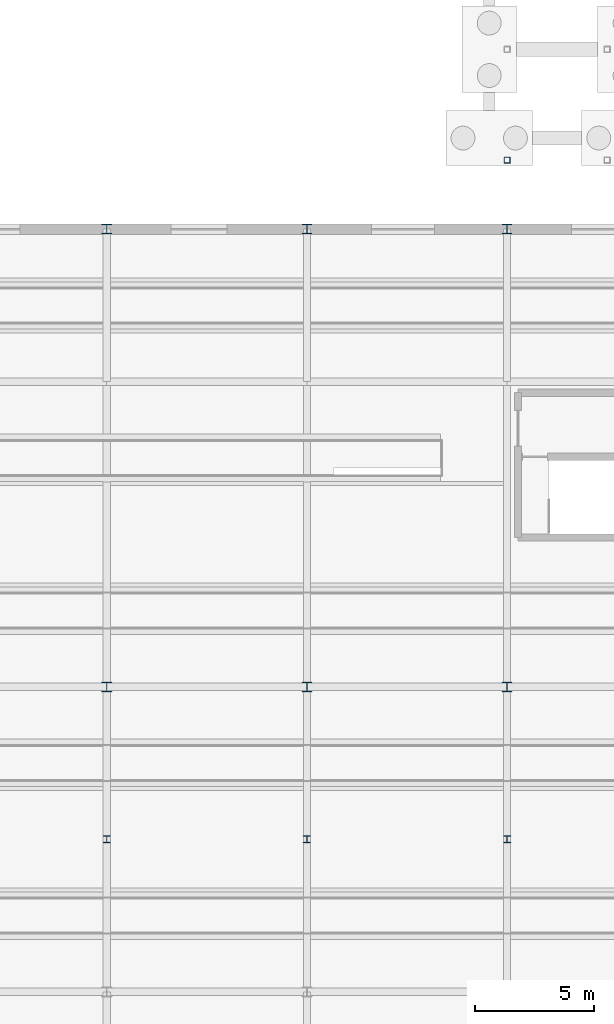
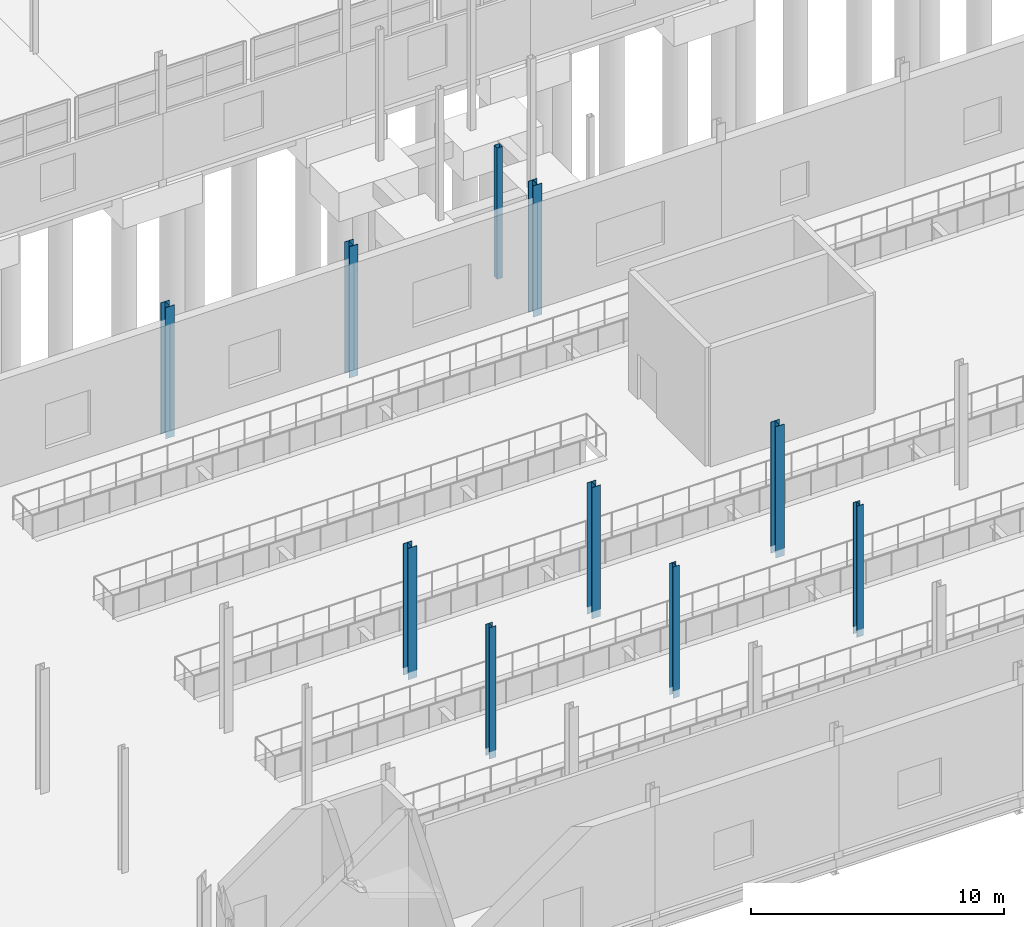
# One storey, part 19 of 139: 10 columns.
"""IFC4 building model written with IfcOpenShell, lengths in metres."""

from ifc_helpers import new_model, si_unit, direction, frame, origin, origin_2d, place, context, subcontext, project, spatial, hollow_rectangle, i_section, extrude, material, material_profile, profile_set, type_object, element, save


model = new_model("IFC4")

# Units and contexts
model_context = context("Model", 3, precision=1e-05, world=origin(), true_north=direction((0.0, 1.0)))
body_context = subcontext(model_context, "Body", "Model", "MODEL_VIEW")
ifc_project = project(units=[si_unit("LENGTHUNIT", "METRE"), si_unit("AREAUNIT", "SQUARE_METRE"), si_unit("VOLUMEUNIT", "CUBIC_METRE"), si_unit("PLANEANGLEUNIT", "RADIAN"), si_unit("MASSUNIT", "GRAM", prefix="KILO")], contexts=[model_context])

# Site, building, storey
site_placement = place(None, origin())
site = spatial("IfcSite", under=ifc_project, at=site_placement, CompositionType="ELEMENT")
building_placement = place(site_placement, origin())
building = spatial("IfcBuilding", under=site, at=building_placement, Name="Kazenagashi Tramway Depot", CompositionType="ELEMENT")
storey_placement = place(building_placement, origin())
storey = spatial("IfcBuildingStorey", under=building, at=storey_placement, Name="L01", CompositionType="ELEMENT", Elevation=0.0)

# Columns
ifc_material_1 = material(Name="Steel SN490B", Category="steel")
ifc_material_profile_1 = material_profile(ifc_material_1, i_section(OverallWidth=0.4, OverallDepth=0.4, WebThickness=0.013, FlangeThickness=0.021, at=origin_2d()), Name="H-400x400x13x21")
ifc_profile_set_1 = profile_set([ifc_material_profile_1], Name="Steel SN490B")
column_type_1 = type_object("IfcColumnType", Name="C-03", PredefinedType="COLUMN", material=ifc_profile_set_1)
for number, where, z_axis, x_axis, name in (
    (1, (70.0, 35.7, -0.35), (0.0, 0.0, 1.0), (1.0, 0.0, 0.0), "Column C-03 COL-0205"),
    (2, (70.0, 54.9, -0.35), (0.0, 0.0, 1.0), (1.0, 0.0, 0.0), "Column C-03 COL-0208"),
    (3, (78.4, 35.7, -0.35), (0.0, 0.0, 1.0), (1.0, 0.0, 0.0), "Column C-03 COL-0222"),
    (4, (78.4, 54.9, -0.35), (0.0, 0.0, 1.0), (1.0, 0.0, 0.0), "Column C-03 COL-0225"),
    (5, (86.8, 35.7, -0.35), (0.0, 0.0, 1.0), (1.0, 0.0, 0.0), "Column C-03 COL-0239"),
    (6, (86.8, 54.9, -0.35), (0.0, 0.0, 1.0), (1.0, 0.0, 0.0), "Column C-03 COL-0242"),
):
    element("IfcColumn", number, at=place(storey_placement, frame(where, z_axis=z_axis, x_axis=x_axis)), inside=storey, type_object=column_type_1, Name=name, PredefinedType="COLUMN", context=body_context, shape_type="SweptSolid", body=[
        extrude(i_section(OverallWidth=0.4, OverallDepth=0.4, WebThickness=0.013, FlangeThickness=0.021, at=origin_2d()), origin(), (0.0, 0.0, 1.0), 6.35),
    ])
ifc_material_profile_2 = material_profile(ifc_material_1, i_section(OverallWidth=0.3, OverallDepth=0.3, WebThickness=0.01, FlangeThickness=0.015, at=origin_2d()), Name="H-300x300x10x15")
ifc_profile_set_2 = profile_set([ifc_material_profile_2], Name="Steel SN490B")
column_type_2 = type_object("IfcColumnType", Name="C-05", PredefinedType="COLUMN", material=ifc_profile_set_2)
for number, where, z_axis, x_axis, name in (
    (7, (70.0, 29.3, -0.35), (0.0, 0.0, 1.0), (1.0, 0.0, 0.0), "Column C-05 COL-0203"),
    (8, (78.4, 29.3, -0.35), (0.0, 0.0, 1.0), (1.0, 0.0, 0.0), "Column C-05 COL-0220"),
    (9, (86.8, 29.3, -0.35), (0.0, 0.0, 1.0), (1.0, 0.0, 0.0), "Column C-05 COL-0237"),
):
    element("IfcColumn", number, at=place(storey_placement, frame(where, z_axis=z_axis, x_axis=x_axis)), inside=storey, type_object=column_type_2, Name=name, PredefinedType="COLUMN", context=body_context, shape_type="SweptSolid", body=[
        extrude(i_section(OverallWidth=0.3, OverallDepth=0.3, WebThickness=0.01, FlangeThickness=0.015, at=origin_2d()), origin(), (0.0, 0.0, 1.0), 6.35),
    ])
ifc_material_2 = material(Name="Weathering Steel SMA490W", Category="steel")
ifc_material_profile_3 = material_profile(ifc_material_2, hollow_rectangle(XDim=0.25, YDim=0.25, WallThickness=0.009, at=origin_2d()), Name="SHS-250x250x9")
ifc_profile_set_3 = profile_set([ifc_material_profile_3], Name="Weathering Steel SMA490W")
column_type_3 = type_object("IfcColumnType", Name="C-10", PredefinedType="COLUMN", material=ifc_profile_set_3)
column_placement = place(storey_placement, frame((86.8, 57.8, -0.35), z_axis=(0.0, 0.0, 1.0), x_axis=(1.0, 0.0, 0.0)))
element("IfcColumn", 10, at=column_placement, inside=storey, type_object=column_type_3, Name="Column C-10 COL-0863", PredefinedType="COLUMN", context=body_context, shape_type="SweptSolid", body=[
    extrude(hollow_rectangle(XDim=0.25, YDim=0.25, WallThickness=0.009, at=origin_2d()), origin(), (0.0, 0.0, 1.0), 6.35),
])

save(model, "model.ifc")
